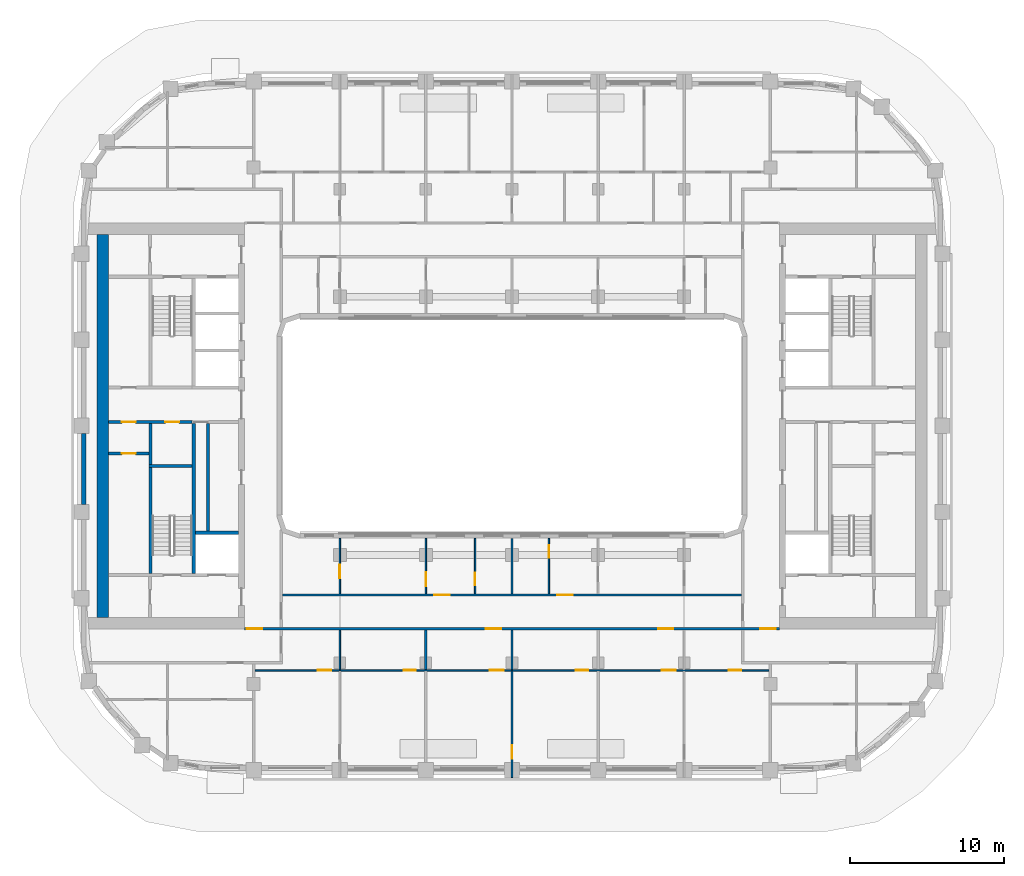
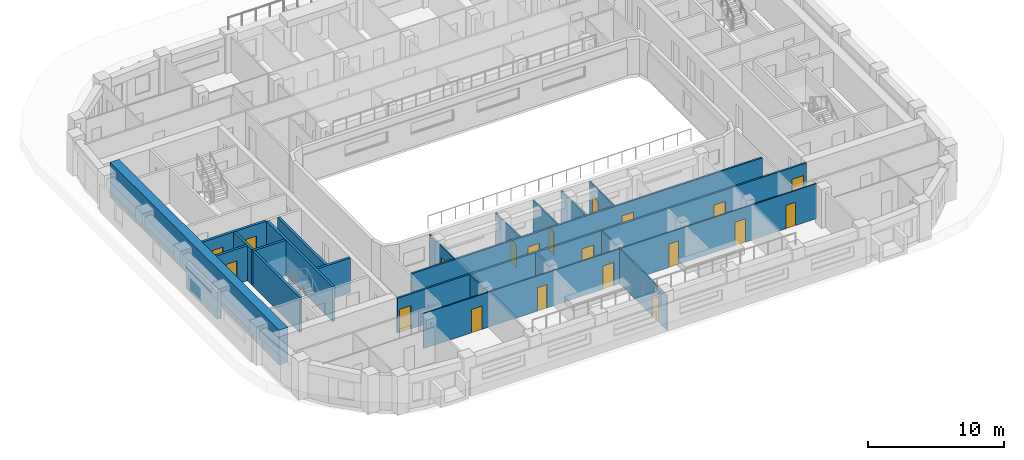
# One storey, part 3 of 17: 22 walls, 20 doors, 20 openings.
"""IFC4 building model written with IfcOpenShell, lengths in metres."""

from ifc_helpers import new_model, si_unit, direction, frame, frame_2d, origin, place, context, subcontext, project, spatial, rectangle, extrude, material, layer, layer_set, type_object, element, fill, save


model = new_model("IFC4")

# Units and contexts
model_context = context("Model", 3, precision=1e-05, world=origin(), true_north=direction((0.0, 1.0)))
body_context = subcontext(model_context, "Body", "Model", "MODEL_VIEW")
ifc_project = project(units=[si_unit("LENGTHUNIT", "METRE"), si_unit("AREAUNIT", "SQUARE_METRE"), si_unit("VOLUMEUNIT", "CUBIC_METRE"), si_unit("PLANEANGLEUNIT", "RADIAN"), si_unit("MASSUNIT", "GRAM", prefix="KILO")], contexts=[model_context])

# Site, building, storey
site_placement = place(None, origin())
site = spatial("IfcSite", under=ifc_project, at=site_placement, CompositionType="ELEMENT")
building_placement = place(site_placement, origin())
building = spatial("IfcBuilding", under=site, at=building_placement, Name="Kiln Ring Residences", CompositionType="ELEMENT")
storey_placement = place(building_placement, frame((0.0, 0.0, 174.60009765625)))
storey = spatial("IfcBuildingStorey", under=building, at=storey_placement, Name="L45", CompositionType="ELEMENT", Elevation=174.60009765625)

# Wall
ifc_material_1 = material(Name="Gypsum board on steel studs", Category="steel")
ifc_layer_1 = layer(ifc_material_1, 0.199951171875)
ifc_layer_set_1 = layer_set([ifc_layer_1], Name="CORE-PARTITION-200")
wall_type_1 = type_object("IfcWallType", Name="CORE-PARTITION-200", PredefinedType="PARTITIONING", material=ifc_layer_set_1)
wall_1_placement = place(storey_placement, frame((-23.5, -2.5, 0.0), z_axis=(0.0, 0.0, 1.0), x_axis=(0.0, 1.0, 0.0)))
element("IfcWall", 1, at=wall_1_placement, inside=storey, type_object=wall_type_1, Name="Core partition west L45 1", PredefinedType="PARTITIONING", context=body_context, shape_type="SweptSolid", body=[
    extrude(rectangle(XDim=2.64990234375, YDim=0.199951171875, at=frame_2d((1.324951171875, 0.0))), origin(), (0.0, 0.0, 1.0), 3.14990234375),
])

# Wall, openings, doors
wall_2_placement = place(storey_placement, frame((-20.800048828125, 0.25, 0.0), z_axis=(0.0, 0.0, 1.0), x_axis=(-1.0, 0.0, 0.0)))
wall_2 = element("IfcWall", 2, at=wall_2_placement, inside=storey, type_object=wall_type_1, Name="Core partition west L45 2", PredefinedType="PARTITIONING", context=body_context, shape_type="SweptSolid", body=[
    extrude(rectangle(XDim=5.449951171875, YDim=0.199951171875, at=frame_2d((2.72509765625, 0.0))), origin(), (0.0, 0.0, 1.0), 3.14990234375),
])
opening_1_placement = place(wall_2_placement, frame((0.85009765625, 0.0, 0.0)))
opening_1 = element("IfcOpeningElement", 3, at=opening_1_placement, cuts=wall_2, Name="Opening L45-CW14", PredefinedType="OPENING", context=body_context, shape_type="SweptSolid", body=[
    extrude(rectangle(XDim=0.89990234375, YDim=2.10009765625, at=frame_2d((0.449951171875, 1.050048828125))), frame((0.0, 0.10986328125, 0.0), z_axis=(0.0, -1.0, 0.0), x_axis=(1.0, 0.0, 0.0)), (0.0, 0.0, 1.0), 0.219970703125),
])
opening_2_placement = place(wall_2_placement, frame((3.675048828125, 0.0, 0.0)))
opening_2 = element("IfcOpeningElement", 4, at=opening_2_placement, cuts=wall_2, Name="Opening L45-CW16", PredefinedType="OPENING", context=body_context, shape_type="SweptSolid", body=[
    extrude(rectangle(XDim=0.89990234375, YDim=2.10009765625, at=frame_2d((0.449951171875, 1.050048828125))), frame((0.0, 0.10986328125, 0.0), z_axis=(0.0, -1.0, 0.0), x_axis=(1.0, 0.0, 0.0)), (0.0, 0.0, 1.0), 0.219970703125),
])
ifc_material_2 = material(Name="Steel door leaf", Category="steel")
door_type_1 = type_object("IfcDoorType", Name="CORE-DOOR-ROOM", OperationType="SINGLE_SWING_LEFT", PredefinedType="DOOR", material=ifc_material_2)
door_1_placement = place(opening_1_placement, origin())
door_1 = element("IfcDoor", 5, at=door_1_placement, inside=storey, type_object=door_type_1, Name="Linen store L45-CW14", OperationType="SINGLE_SWING_RIGHT", OverallHeight=2.10009765625, OverallWidth=0.89990234375, PredefinedType="DOOR", context=body_context, shape_type="SweptSolid", body=[
    extrude(rectangle(XDim=0.89990234375, YDim=2.10009765625, at=frame_2d((0.449951171875, 1.050048828125))), frame((0.0, 0.02490234375, 0.0), z_axis=(0.0, -1.0, 0.0), x_axis=(1.0, 0.0, 0.0)), (0.0, 0.0, 1.0), 0.050048828125),
])
fill(opening_1, door_1)
door_2_placement = place(opening_2_placement, origin())
door_2 = element("IfcDoor", 6, at=door_2_placement, inside=storey, type_object=door_type_1, Name="Pump and valve room L45-CW16", OperationType="SINGLE_SWING_RIGHT", OverallHeight=2.10009765625, OverallWidth=0.89990234375, PredefinedType="DOOR", context=body_context, shape_type="SweptSolid", body=[
    extrude(rectangle(XDim=0.89990234375, YDim=2.10009765625, at=frame_2d((0.449951171875, 1.050048828125))), frame((0.0, 0.02490234375, 0.0), z_axis=(0.0, -1.0, 0.0), x_axis=(1.0, 0.0, 0.0)), (0.0, 0.0, 1.0), 0.050048828125),
])
fill(opening_2, door_2)

# Wall
wall_3_placement = place(storey_placement, frame((-19.760009765625, -6.85009765625, 0.0), z_axis=(0.0, 0.0, 1.0), x_axis=(0.0, 1.0, 0.0)))
element("IfcWall", 7, at=wall_3_placement, inside=storey, type_object=wall_type_1, Name="Core partition west L45 3", PredefinedType="PARTITIONING", context=body_context, shape_type="SweptSolid", body=[
    extrude(rectangle(XDim=7.0, YDim=0.199951171875, at=frame_2d((3.5, 0.0))), origin(), (0.0, 0.0, 1.0), 3.14990234375),
])

# Wall, opening, door
wall_4_placement = place(storey_placement, frame((-23.60009765625, -1.800048828125, 0.0), z_axis=(0.0, 0.0, 1.0), x_axis=(-1.0, 0.0, 0.0)))
wall_4 = element("IfcWall", 8, at=wall_4_placement, inside=storey, type_object=wall_type_1, Name="Core partition west L45 6", PredefinedType="PARTITIONING", context=body_context, shape_type="SweptSolid", body=[
    extrude(rectangle(XDim=2.64990234375, YDim=0.199951171875, at=frame_2d((1.324951171875, 0.0))), origin(), (0.0, 0.0, 1.0), 3.14990234375),
])
opening_3_placement = place(wall_4_placement, frame((0.875, 0.0, 0.0)))
opening_3 = element("IfcOpeningElement", 9, at=opening_3_placement, cuts=wall_4, Name="Opening L45-CW15", PredefinedType="OPENING", context=body_context, shape_type="SweptSolid", body=[
    extrude(rectangle(XDim=0.89990234375, YDim=2.10009765625, at=frame_2d((0.449951171875, 1.050048828125))), frame((0.0, 0.10986328125, 0.0), z_axis=(0.0, -1.0, 0.0), x_axis=(1.0, 0.0, 0.0)), (0.0, 0.0, 1.0), 0.219970703125),
])
door_3_placement = place(opening_3_placement, origin())
door_3 = element("IfcDoor", 10, at=door_3_placement, inside=storey, type_object=door_type_1, Name="Pump and valve room L45-CW15", OperationType="SINGLE_SWING_RIGHT", OverallHeight=2.10009765625, OverallWidth=0.89990234375, PredefinedType="DOOR", context=body_context, shape_type="SweptSolid", body=[
    extrude(rectangle(XDim=0.89990234375, YDim=2.10009765625, at=frame_2d((0.449951171875, 1.050048828125))), frame((0.0, 0.02490234375, 0.0), z_axis=(0.0, -1.0, 0.0), x_axis=(1.0, 0.0, 0.0)), (0.0, 0.0, 1.0), 0.050048828125),
])
fill(opening_3, door_3)

# Walls
ifc_material_3 = material(Name="Gypsum shaft wall system")
ifc_layer_2 = layer(ifc_material_3, 0.199951171875)
ifc_layer_set_2 = layer_set([ifc_layer_2], Name="CORE-SHAFT-WALL-200")
wall_type_2 = type_object("IfcWallType", Name="CORE-SHAFT-WALL-200", PredefinedType="PARTITIONING", material=ifc_layer_set_2)
wall_5_placement = place(storey_placement, frame((-17.800048828125, -6.949951171875, 0.0), z_axis=(0.0, 0.0, 1.0), x_axis=(-1.0, 0.0, 0.0)))
element("IfcWall", 11, at=wall_5_placement, inside=storey, type_object=wall_type_2, Name="Core partition west L45 7", PredefinedType="PARTITIONING", context=body_context, shape_type="SweptSolid", body=[
    extrude(rectangle(XDim=2.800048828125, YDim=0.199951171875, at=frame_2d((1.39990234375, 0.0))), origin(), (0.0, 0.0, 1.0), 3.14990234375),
])
ifc_material_4 = material(Name="Concrete C40/50", Category="concrete")
ifc_layer_3 = layer(ifc_material_4, 0.199951171875)
ifc_layer_set_3 = layer_set([ifc_layer_3], Name="CORE-WALL-RC200")
wall_type_3 = type_object("IfcWallType", Name="CORE-WALL-RC200", PredefinedType="SHEAR", material=ifc_layer_set_3)
wall_6_placement = place(storey_placement, frame((-20.699951171875, -9.60009765625, 0.0), z_axis=(0.0, 0.0, 1.0), x_axis=(0.0, 1.0, 0.0)))
element("IfcWall", 12, at=wall_6_placement, inside=storey, type_object=wall_type_3, Name="Core wall west L45 2", PredefinedType="SHEAR", context=body_context, shape_type="SweptSolid", body=[
    extrude(rectangle(XDim=9.75, YDim=0.199951171875, at=frame_2d((4.875, 0.0))), origin(), (0.0, 0.0, 1.0), 3.14990234375),
])
wall_7_placement = place(storey_placement, frame((-23.5, -9.60009765625, 0.0), z_axis=(0.0, 0.0, 1.0), x_axis=(0.0, 1.0, 0.0)))
element("IfcWall", 13, at=wall_7_placement, inside=storey, type_object=wall_type_3, Name="Core wall west L45 11", PredefinedType="SHEAR", context=body_context, shape_type="SweptSolid", body=[
    extrude(rectangle(XDim=6.900146484375, YDim=0.199951171875, at=frame_2d((3.4501953125, 0.0))), origin(), (0.0, 0.0, 1.0), 3.14990234375),
])
wall_8_placement = place(storey_placement, frame((-20.800048828125, -2.60009765625, 0.0), z_axis=(0.0, 0.0, 1.0), x_axis=(-1.0, 0.0, 0.0)))
element("IfcWall", 14, at=wall_8_placement, inside=storey, type_object=wall_type_3, Name="Core wall west L45 12", PredefinedType="SHEAR", context=body_context, shape_type="SweptSolid", body=[
    extrude(rectangle(XDim=2.800048828125, YDim=0.199951171875, at=frame_2d((1.39990234375, 0.0))), origin(), (0.0, 0.0, 1.0), 3.14990234375),
])
ifc_material_5 = material(Name="Concrete C60/75", Category="concrete")
ifc_layer_4 = layer(ifc_material_5, 0.75)
ifc_layer_set_4 = layer_set([ifc_layer_4], Name="CORE-WALL-RC750")
wall_type_4 = type_object("IfcWallType", Name="CORE-WALL-RC750", PredefinedType="SHEAR", material=ifc_layer_set_4)
wall_9_placement = place(storey_placement, frame((-26.625, -12.449951171875, 0.0), z_axis=(0.0, 0.0, 1.0), x_axis=(0.0, 1.0, 0.0)))
element("IfcWall", 15, at=wall_9_placement, inside=storey, type_object=wall_type_4, Name="Core wall west L45 7", PredefinedType="SHEAR", context=body_context, shape_type="SweptSolid", body=[
    extrude(rectangle(XDim=24.89990234375, YDim=0.75, at=frame_2d((12.449951171875, 0.0))), origin(), (0.0, 0.0, 1.0), 3.14990234375),
])
ifc_material_6 = material(Name="Brick masonry, dark clay brick", Category="masonry")
ifc_layer_5 = layer(ifc_material_6, 0.300048828125)
ifc_layer_set_5 = layer_set([ifc_layer_5], Name="EW-300 BRICK WALL")
wall_type_5 = type_object("IfcWallType", Name="EW-300 BRICK WALL", PredefinedType="SOLIDWALL", material=ifc_layer_set_5)
wall_10_placement = place(storey_placement, frame((-27.85009765625, -0.5, 0.0), z_axis=(0.0, 0.0, 1.0), x_axis=(0.0, -1.0, 0.0)))
element("IfcWall", 16, at=wall_10_placement, inside=storey, type_object=wall_type_5, Name="Facade wall L45 44", PredefinedType="SOLIDWALL", context=body_context, shape_type="SweptSolid", body=[
    extrude(rectangle(XDim=4.60009765625, YDim=0.300048828125, at=frame_2d((2.300048828125, 0.0))), origin(), (0.0, 0.0, 1.0), 2.39990234375),
])

# Wall, openings, doors
ifc_material_7 = material(Name="Gypsum board on steel studs", Category="steel")
ifc_layer_6 = layer(ifc_material_7, 0.10009765625)
ifc_layer_set_6 = layer_set([ifc_layer_6], Name="PARTITION-100")
wall_type_6 = type_object("IfcWallType", Name="PARTITION-100", PredefinedType="PARTITIONING", material=ifc_layer_set_6)
wall_11_placement = place(storey_placement, frame((-16.72509765625, -15.89990234375, 0.0), z_axis=(0.0, 0.0, 1.0), x_axis=(1.0, 0.0, 0.0)))
wall_11 = element("IfcWall", 17, at=wall_11_placement, inside=storey, type_object=wall_type_6, Name="Partition 002", PredefinedType="PARTITIONING", context=body_context, shape_type="SweptSolid", body=[
    extrude(rectangle(XDim=33.4501953125, YDim=0.10009765625, at=frame_2d((16.72509765625, 0.0))), origin(), (0.0, 0.0, 1.0), 3.14990234375),
])
opening_4_placement = place(wall_11_placement, frame((9.675048828125, 0.0, 0.0)))
opening_4 = element("IfcOpeningElement", 18, at=opening_4_placement, cuts=wall_11, Name="Opening L45-D053", PredefinedType="OPENING", context=body_context, shape_type="SweptSolid", body=[
    extrude(rectangle(XDim=0.800048828125, YDim=2.10009765625, at=frame_2d((0.39990234375, 1.050048828125))), frame((0.0, 0.06005859375, 0.0), z_axis=(0.0, -1.0, 0.0), x_axis=(1.0, 0.0, 0.0)), (0.0, 0.0, 1.0), 0.1201171875),
])
opening_5_placement = place(wall_11_placement, frame((4.074951171875, 0.0, 0.0)))
opening_5 = element("IfcOpeningElement", 19, at=opening_5_placement, cuts=wall_11, Name="Opening L45-D054", PredefinedType="OPENING", context=body_context, shape_type="SweptSolid", body=[
    extrude(rectangle(XDim=0.89990234375, YDim=2.10009765625, at=frame_2d((0.449951171875, 1.050048828125))), frame((0.0, 0.06005859375, 0.0), z_axis=(0.0, -1.0, 0.0), x_axis=(1.0, 0.0, 0.0)), (0.0, 0.0, 1.0), 0.1201171875),
])
opening_6_placement = place(wall_11_placement, frame((20.875, 0.0, 0.0)))
opening_6 = element("IfcOpeningElement", 20, at=opening_6_placement, cuts=wall_11, Name="Opening L45-D057", PredefinedType="OPENING", context=body_context, shape_type="SweptSolid", body=[
    extrude(rectangle(XDim=0.800048828125, YDim=2.10009765625, at=frame_2d((0.39990234375, 1.050048828125))), frame((0.0, 0.06005859375, 0.0), z_axis=(0.0, -1.0, 0.0), x_axis=(1.0, 0.0, 0.0)), (0.0, 0.0, 1.0), 0.1201171875),
])
opening_7_placement = place(wall_11_placement, frame((15.27490234375, 0.0, 0.0)))
opening_7 = element("IfcOpeningElement", 21, at=opening_7_placement, cuts=wall_11, Name="Opening L45-D058", PredefinedType="OPENING", context=body_context, shape_type="SweptSolid", body=[
    extrude(rectangle(XDim=0.89990234375, YDim=2.10009765625, at=frame_2d((0.449951171875, 1.050048828125))), frame((0.0, 0.06005859375, 0.0), z_axis=(0.0, -1.0, 0.0), x_axis=(1.0, 0.0, 0.0)), (0.0, 0.0, 1.0), 0.1201171875),
])
opening_8_placement = place(wall_11_placement, frame((30.824951171875, 0.0, 0.0)))
opening_8 = element("IfcOpeningElement", 22, at=opening_8_placement, cuts=wall_11, Name="Opening L45-D061", PredefinedType="OPENING", context=body_context, shape_type="SweptSolid", body=[
    extrude(rectangle(XDim=0.800048828125, YDim=2.10009765625, at=frame_2d((0.39990234375, 1.050048828125))), frame((0.0, 0.06005859375, 0.0), z_axis=(0.0, -1.0, 0.0), x_axis=(1.0, 0.0, 0.0)), (0.0, 0.0, 1.0), 0.1201171875),
])
opening_9_placement = place(wall_11_placement, frame((26.47509765625, 0.0, 0.0)))
opening_9 = element("IfcOpeningElement", 23, at=opening_9_placement, cuts=wall_11, Name="Opening L45-D062", PredefinedType="OPENING", context=body_context, shape_type="SweptSolid", body=[
    extrude(rectangle(XDim=0.89990234375, YDim=2.10009765625, at=frame_2d((0.449951171875, 1.050048828125))), frame((0.0, 0.06005859375, 0.0), z_axis=(0.0, -1.0, 0.0), x_axis=(1.0, 0.0, 0.0)), (0.0, 0.0, 1.0), 0.1201171875),
])
ifc_material_8 = material(Name="Timber door leaf", Category="wood")
door_type_2 = type_object("IfcDoorType", Name="FLAT-DOOR-800-PL", OperationType="SINGLE_SWING_LEFT", PredefinedType="DOOR", material=ifc_material_8)
door_4_placement = place(opening_4_placement, origin())
door_4 = element("IfcDoor", 24, at=door_4_placement, inside=storey, type_object=door_type_2, Name="Door L45-D053", OperationType="SINGLE_SWING_LEFT", OverallHeight=2.10009765625, OverallWidth=0.800048828125, PredefinedType="DOOR", context=body_context, shape_type="SweptSolid", body=[
    extrude(rectangle(XDim=0.800048828125, YDim=2.10009765625, at=frame_2d((0.39990234375, 1.050048828125))), frame((0.0, 0.02490234375, 0.0), z_axis=(0.0, -1.0, 0.0), x_axis=(1.0, 0.0, 0.0)), (0.0, 0.0, 1.0), 0.050048828125),
])
fill(opening_4, door_4)
door_5_placement = place(opening_6_placement, origin())
door_5 = element("IfcDoor", 25, at=door_5_placement, inside=storey, type_object=door_type_2, Name="Door L45-D057", OperationType="SINGLE_SWING_LEFT", OverallHeight=2.10009765625, OverallWidth=0.800048828125, PredefinedType="DOOR", context=body_context, shape_type="SweptSolid", body=[
    extrude(rectangle(XDim=0.800048828125, YDim=2.10009765625, at=frame_2d((0.39990234375, 1.050048828125))), frame((0.0, 0.02490234375, 0.0), z_axis=(0.0, -1.0, 0.0), x_axis=(1.0, 0.0, 0.0)), (0.0, 0.0, 1.0), 0.050048828125),
])
fill(opening_6, door_5)
door_6_placement = place(opening_8_placement, origin())
door_6 = element("IfcDoor", 26, at=door_6_placement, inside=storey, type_object=door_type_2, Name="Door L45-D061", OperationType="SINGLE_SWING_LEFT", OverallHeight=2.10009765625, OverallWidth=0.800048828125, PredefinedType="DOOR", context=body_context, shape_type="SweptSolid", body=[
    extrude(rectangle(XDim=0.800048828125, YDim=2.10009765625, at=frame_2d((0.39990234375, 1.050048828125))), frame((0.0, 0.02490234375, 0.0), z_axis=(0.0, -1.0, 0.0), x_axis=(1.0, 0.0, 0.0)), (0.0, 0.0, 1.0), 0.050048828125),
])
fill(opening_8, door_6)
ifc_material_9 = material(Name="Timber door leaf", Category="wood")
door_type_3 = type_object("IfcDoorType", Name="FLAT-DOOR-900-PL", OperationType="SINGLE_SWING_LEFT", PredefinedType="DOOR", material=ifc_material_9)
door_7_placement = place(opening_5_placement, origin())
door_7 = element("IfcDoor", 27, at=door_7_placement, inside=storey, type_object=door_type_3, Name="Door L45-D054", OperationType="SINGLE_SWING_RIGHT", OverallHeight=2.10009765625, OverallWidth=0.89990234375, PredefinedType="DOOR", context=body_context, shape_type="SweptSolid", body=[
    extrude(rectangle(XDim=0.89990234375, YDim=2.10009765625, at=frame_2d((0.449951171875, 1.050048828125))), frame((0.0, 0.02490234375, 0.0), z_axis=(0.0, -1.0, 0.0), x_axis=(1.0, 0.0, 0.0)), (0.0, 0.0, 1.0), 0.050048828125),
])
fill(opening_5, door_7)
door_8_placement = place(opening_7_placement, origin())
door_8 = element("IfcDoor", 28, at=door_8_placement, inside=storey, type_object=door_type_3, Name="Door L45-D058", OperationType="SINGLE_SWING_RIGHT", OverallHeight=2.10009765625, OverallWidth=0.89990234375, PredefinedType="DOOR", context=body_context, shape_type="SweptSolid", body=[
    extrude(rectangle(XDim=0.89990234375, YDim=2.10009765625, at=frame_2d((0.449951171875, 1.050048828125))), frame((0.0, 0.02490234375, 0.0), z_axis=(0.0, -1.0, 0.0), x_axis=(1.0, 0.0, 0.0)), (0.0, 0.0, 1.0), 0.050048828125),
])
fill(opening_7, door_8)
door_9_placement = place(opening_9_placement, origin())
door_9 = element("IfcDoor", 29, at=door_9_placement, inside=storey, type_object=door_type_3, Name="Door L45-D062", OperationType="SINGLE_SWING_RIGHT", OverallHeight=2.10009765625, OverallWidth=0.89990234375, PredefinedType="DOOR", context=body_context, shape_type="SweptSolid", body=[
    extrude(rectangle(XDim=0.89990234375, YDim=2.10009765625, at=frame_2d((0.449951171875, 1.050048828125))), frame((0.0, 0.02490234375, 0.0), z_axis=(0.0, -1.0, 0.0), x_axis=(1.0, 0.0, 0.0)), (0.0, 0.0, 1.0), 0.050048828125),
])
fill(opening_9, door_9)

# Wall
wall_12_placement = place(storey_placement, frame((-11.199951171875, -15.85009765625, 0.0), z_axis=(0.0, 0.0, 1.0), x_axis=(0.0, 1.0, 0.0)))
element("IfcWall", 30, at=wall_12_placement, inside=storey, type_object=wall_type_6, Name="Partition 027", PredefinedType="PARTITIONING", context=body_context, shape_type="SweptSolid", body=[
    extrude(rectangle(XDim=2.5751953125, YDim=0.10009765625, at=frame_2d((1.28759765625, 0.0))), origin(), (0.0, 0.0, 1.0), 3.14990234375),
])

# Wall, opening, door
wall_13_placement = place(storey_placement, frame((-11.199951171875, -10.925048828125, 0.0), z_axis=(0.0, 0.0, 1.0), x_axis=(0.0, 1.0, 0.0)))
wall_13 = element("IfcWall", 31, at=wall_13_placement, inside=storey, type_object=wall_type_6, Name="Partition 028", PredefinedType="PARTITIONING", context=body_context, shape_type="SweptSolid", body=[
    extrude(rectangle(XDim=3.60498046875, YDim=0.10009765625, at=frame_2d((1.802490234375, 0.0))), origin(), (0.0, 0.0, 1.0), 3.14990234375),
])
opening_10_placement = place(wall_13_placement, frame((1.0048828125, 0.0, 0.0)))
opening_10 = element("IfcOpeningElement", 32, at=opening_10_placement, cuts=wall_13, Name="Opening L45-D047", PredefinedType="OPENING", context=body_context, shape_type="SweptSolid", body=[
    extrude(rectangle(XDim=0.89990234375, YDim=2.10009765625, at=frame_2d((0.449951171875, 1.050048828125))), frame((0.0, 0.06005859375, 0.0), z_axis=(0.0, -1.0, 0.0), x_axis=(1.0, 0.0, 0.0)), (0.0, 0.0, 1.0), 0.1201171875),
])
door_10_placement = place(opening_10_placement, origin())
door_10 = element("IfcDoor", 33, at=door_10_placement, inside=storey, type_object=door_type_3, Name="Door L45-D047", OperationType="SINGLE_SWING_RIGHT", OverallHeight=2.10009765625, OverallWidth=0.89990234375, PredefinedType="DOOR", context=body_context, shape_type="SweptSolid", body=[
    extrude(rectangle(XDim=0.89990234375, YDim=2.10009765625, at=frame_2d((0.449951171875, 1.050048828125))), frame((0.0, 0.02490234375, 0.0), z_axis=(0.0, -1.0, 0.0), x_axis=(1.0, 0.0, 0.0)), (0.0, 0.0, 1.0), 0.050048828125),
])
fill(opening_10, door_10)

wall_14_placement = place(storey_placement, frame((-5.60009765625, -10.925048828125, 0.0), z_axis=(0.0, 0.0, 1.0), x_axis=(0.0, 1.0, 0.0)))
wall_14 = element("IfcWall", 34, at=wall_14_placement, inside=storey, type_object=wall_type_6, Name="Partition 033", PredefinedType="PARTITIONING", context=body_context, shape_type="SweptSolid", body=[
    extrude(rectangle(XDim=3.60498046875, YDim=0.10009765625, at=frame_2d((1.802490234375, 0.0))), origin(), (0.0, 0.0, 1.0), 3.14990234375),
])
opening_11_placement = place(wall_14_placement, frame((0.5048828125, 0.0, 0.0)))
opening_11 = element("IfcOpeningElement", 35, at=opening_11_placement, cuts=wall_14, Name="Opening L45-D046", PredefinedType="OPENING", context=body_context, shape_type="SweptSolid", body=[
    extrude(rectangle(XDim=0.89990234375, YDim=2.10009765625, at=frame_2d((0.449951171875, 1.050048828125))), frame((0.0, 0.06005859375, 0.0), z_axis=(0.0, -1.0, 0.0), x_axis=(1.0, 0.0, 0.0)), (0.0, 0.0, 1.0), 0.1201171875),
])
door_11_placement = place(opening_11_placement, origin())
door_11 = element("IfcDoor", 36, at=door_11_placement, inside=storey, type_object=door_type_3, Name="Door L45-D046", OperationType="SINGLE_SWING_RIGHT", OverallHeight=2.10009765625, OverallWidth=0.89990234375, PredefinedType="DOOR", context=body_context, shape_type="SweptSolid", body=[
    extrude(rectangle(XDim=0.89990234375, YDim=2.10009765625, at=frame_2d((0.449951171875, 1.050048828125))), frame((0.0, 0.02490234375, 0.0), z_axis=(0.0, -1.0, 0.0), x_axis=(1.0, 0.0, 0.0)), (0.0, 0.0, 1.0), 0.050048828125),
])
fill(opening_11, door_11)

wall_15_placement = place(storey_placement, frame((-2.39990234375, -10.925048828125, 0.0), z_axis=(0.0, 0.0, 1.0), x_axis=(0.0, 1.0, 0.0)))
wall_15 = element("IfcWall", 37, at=wall_15_placement, inside=storey, type_object=wall_type_6, Name="Partition 040", PredefinedType="PARTITIONING", context=body_context, shape_type="SweptSolid", body=[
    extrude(rectangle(XDim=3.60498046875, YDim=0.10009765625, at=frame_2d((1.802490234375, 0.0))), origin(), (0.0, 0.0, 1.0), 3.14990234375),
])
opening_12_placement = place(wall_15_placement, frame((0.575927734375, 0.0, 0.0)))
opening_12 = element("IfcOpeningElement", 38, at=opening_12_placement, cuts=wall_15, Name="Opening L45-D045", PredefinedType="OPENING", context=body_context, shape_type="SweptSolid", body=[
    extrude(rectangle(XDim=0.800048828125, YDim=2.10009765625, at=frame_2d((0.39990234375, 1.050048828125))), frame((0.0, 0.06005859375, 0.0), z_axis=(0.0, -1.0, 0.0), x_axis=(1.0, 0.0, 0.0)), (0.0, 0.0, 1.0), 0.1201171875),
])
door_12_placement = place(opening_12_placement, origin())
door_12 = element("IfcDoor", 39, at=door_12_placement, inside=storey, type_object=door_type_2, Name="Door L45-D045", OperationType="SINGLE_SWING_LEFT", OverallHeight=2.10009765625, OverallWidth=0.800048828125, PredefinedType="DOOR", context=body_context, shape_type="SweptSolid", body=[
    extrude(rectangle(XDim=0.800048828125, YDim=2.10009765625, at=frame_2d((0.39990234375, 1.050048828125))), frame((0.0, 0.02490234375, 0.0), z_axis=(0.0, -1.0, 0.0), x_axis=(1.0, 0.0, 0.0)), (0.0, 0.0, 1.0), 0.050048828125),
])
fill(opening_12, door_12)

wall_16_placement = place(storey_placement, frame((0.0, -22.8798828125, 0.0), z_axis=(0.0, 0.0, 1.0), x_axis=(0.0, 1.0, 0.0)))
wall_16 = element("IfcWall", 40, at=wall_16_placement, inside=storey, type_object=wall_type_6, Name="Partition 041", PredefinedType="PARTITIONING", context=body_context, shape_type="SweptSolid", body=[
    extrude(rectangle(XDim=6.929931640625, YDim=0.10009765625, at=frame_2d((3.46484375, 0.0))), origin(), (0.0, 0.0, 1.0), 3.14990234375),
])
opening_13_placement = place(wall_16_placement, frame((1.219970703125, 0.0, 0.0)))
opening_13 = element("IfcOpeningElement", 41, at=opening_13_placement, cuts=wall_16, Name="Opening L45-D059", PredefinedType="OPENING", context=body_context, shape_type="SweptSolid", body=[
    extrude(rectangle(XDim=0.89990234375, YDim=2.10009765625, at=frame_2d((0.449951171875, 1.050048828125))), frame((0.0, 0.06005859375, 0.0), z_axis=(0.0, -1.0, 0.0), x_axis=(1.0, 0.0, 0.0)), (0.0, 0.0, 1.0), 0.1201171875),
])
door_13_placement = place(opening_13_placement, origin())
door_13 = element("IfcDoor", 42, at=door_13_placement, inside=storey, type_object=door_type_3, Name="Door L45-D059", OperationType="SINGLE_SWING_LEFT", OverallHeight=2.10009765625, OverallWidth=0.89990234375, PredefinedType="DOOR", context=body_context, shape_type="SweptSolid", body=[
    extrude(rectangle(XDim=0.89990234375, YDim=2.10009765625, at=frame_2d((0.449951171875, 1.050048828125))), frame((0.0, 0.02490234375, 0.0), z_axis=(0.0, -1.0, 0.0), x_axis=(1.0, 0.0, 0.0)), (0.0, 0.0, 1.0), 0.050048828125),
])
fill(opening_13, door_13)

# Wall
wall_17_placement = place(storey_placement, frame((0.0, -15.85009765625, 0.0), z_axis=(0.0, 0.0, 1.0), x_axis=(0.0, 1.0, 0.0)))
element("IfcWall", 43, at=wall_17_placement, inside=storey, type_object=wall_type_6, Name="Partition 042", PredefinedType="PARTITIONING", context=body_context, shape_type="SweptSolid", body=[
    extrude(rectangle(XDim=2.5751953125, YDim=0.10009765625, at=frame_2d((1.28759765625, 0.0))), origin(), (0.0, 0.0, 1.0), 3.14990234375),
])

# Wall, opening, door
wall_18_placement = place(storey_placement, frame((2.39990234375, -10.925048828125, 0.0), z_axis=(0.0, 0.0, 1.0), x_axis=(0.0, 1.0, 0.0)))
wall_18 = element("IfcWall", 44, at=wall_18_placement, inside=storey, type_object=wall_type_6, Name="Partition 047", PredefinedType="PARTITIONING", context=body_context, shape_type="SweptSolid", body=[
    extrude(rectangle(XDim=3.60498046875, YDim=0.10009765625, at=frame_2d((1.802490234375, 0.0))), origin(), (0.0, 0.0, 1.0), 3.14990234375),
])
opening_14_placement = place(wall_18_placement, frame((2.35498046875, 0.0, 0.0)))
opening_14 = element("IfcOpeningElement", 45, at=opening_14_placement, cuts=wall_18, Name="Opening L45-D049", PredefinedType="OPENING", context=body_context, shape_type="SweptSolid", body=[
    extrude(rectangle(XDim=0.800048828125, YDim=2.10009765625, at=frame_2d((0.39990234375, 1.050048828125))), frame((0.0, 0.06005859375, 0.0), z_axis=(0.0, -1.0, 0.0), x_axis=(1.0, 0.0, 0.0)), (0.0, 0.0, 1.0), 0.1201171875),
])
door_14_placement = place(opening_14_placement, origin())
door_14 = element("IfcDoor", 46, at=door_14_placement, inside=storey, type_object=door_type_2, Name="Door L45-D049", OperationType="SINGLE_SWING_LEFT", OverallHeight=2.10009765625, OverallWidth=0.800048828125, PredefinedType="DOOR", context=body_context, shape_type="SweptSolid", body=[
    extrude(rectangle(XDim=0.800048828125, YDim=2.10009765625, at=frame_2d((0.39990234375, 1.050048828125))), frame((0.0, 0.02490234375, 0.0), z_axis=(0.0, -1.0, 0.0), x_axis=(1.0, 0.0, 0.0)), (0.0, 0.0, 1.0), 0.050048828125),
])
fill(opening_14, door_14)

# Wall, openings, doors
ifc_material_10 = material(Name="Brick masonry partition", Category="masonry")
ifc_layer_7 = layer(ifc_material_10, 0.14990234375)
ifc_layer_set_7 = layer_set([ifc_layer_7], Name="PARTITION-150-ei60")
wall_type_7 = type_object("IfcWallType", Name="PARTITION-150-ei60", PredefinedType="PARTITIONING", material=ifc_layer_set_7)
wall_19_placement = place(storey_placement, frame((-17.39990234375, -13.199951171875, 0.0), z_axis=(0.0, 0.0, 1.0), x_axis=(1.0, 0.0, 0.0)))
wall_19 = element("IfcWall", 47, at=wall_19_placement, inside=storey, type_object=wall_type_7, Name="Partition 005", PredefinedType="PARTITIONING", context=body_context, shape_type="SweptSolid", body=[
    extrude(rectangle(XDim=34.7998046875, YDim=0.14990234375, at=frame_2d((17.39990234375, 0.0))), origin(), (0.0, 0.0, 1.0), 3.14990234375),
])
opening_15_placement = place(wall_19_placement, frame((0.14990234375, 0.0, 0.0)))
opening_15 = element("IfcOpeningElement", 48, at=opening_15_placement, cuts=wall_19, Name="Opening L45-D007", PredefinedType="OPENING", context=body_context, shape_type="SweptSolid", body=[
    extrude(rectangle(XDim=1.0, YDim=2.10009765625, at=frame_2d((0.5, 1.050048828125))), frame((0.0, 0.0849609375, 0.0), z_axis=(0.0, -1.0, 0.0), x_axis=(1.0, 0.0, 0.0)), (0.0, 0.0, 1.0), 0.169921875),
])
opening_16_placement = place(wall_19_placement, frame((33.550048828125, 0.0, 0.0)))
opening_16 = element("IfcOpeningElement", 49, at=opening_16_placement, cuts=wall_19, Name="Opening L45-D008", PredefinedType="OPENING", context=body_context, shape_type="SweptSolid", body=[
    extrude(rectangle(XDim=1.0, YDim=2.10009765625, at=frame_2d((0.5, 1.050048828125))), frame((0.0, 0.0849609375, 0.0), z_axis=(0.0, -1.0, 0.0), x_axis=(1.0, 0.0, 0.0)), (0.0, 0.0, 1.0), 0.169921875),
])
opening_17_placement = place(wall_19_placement, frame((15.699951171875, 0.0, 0.0)))
opening_17 = element("IfcOpeningElement", 50, at=opening_17_placement, cuts=wall_19, Name="Opening L45-D056", PredefinedType="OPENING", context=body_context, shape_type="SweptSolid", body=[
    extrude(rectangle(XDim=1.0, YDim=2.10009765625, at=frame_2d((0.5, 1.050048828125))), frame((0.0, 0.0849609375, 0.0), z_axis=(0.0, -1.0, 0.0), x_axis=(1.0, 0.0, 0.0)), (0.0, 0.0, 1.0), 0.169921875),
])
opening_18_placement = place(wall_19_placement, frame((26.89990234375, 0.0, 0.0)))
opening_18 = element("IfcOpeningElement", 51, at=opening_18_placement, cuts=wall_19, Name="Opening L45-D060", PredefinedType="OPENING", context=body_context, shape_type="SweptSolid", body=[
    extrude(rectangle(XDim=1.0, YDim=2.10009765625, at=frame_2d((0.5, 1.050048828125))), frame((0.0, 0.0849609375, 0.0), z_axis=(0.0, -1.0, 0.0), x_axis=(1.0, 0.0, 0.0)), (0.0, 0.0, 1.0), 0.169921875),
])
ifc_material_11 = material(Name="Steel faced fire door leaf", Category="steel")
door_type_4 = type_object("IfcDoorType", Name="FLAT-DOOR-1000-FR", OperationType="SINGLE_SWING_LEFT", PredefinedType="DOOR", material=ifc_material_11)
door_15_placement = place(opening_15_placement, origin())
door_15 = element("IfcDoor", 52, at=door_15_placement, inside=storey, type_object=door_type_4, Name="Door L45-D007", OperationType="SINGLE_SWING_RIGHT", OverallHeight=2.10009765625, OverallWidth=1.0, PredefinedType="DOOR", context=body_context, shape_type="SweptSolid", body=[
    extrude(rectangle(XDim=1.0, YDim=2.10009765625, at=frame_2d((0.5, 1.050048828125))), frame((0.0, 0.02490234375, 0.0), z_axis=(0.0, -1.0, 0.0), x_axis=(1.0, 0.0, 0.0)), (0.0, 0.0, 1.0), 0.050048828125),
])
fill(opening_15, door_15)
door_16_placement = place(opening_16_placement, origin())
door_16 = element("IfcDoor", 53, at=door_16_placement, inside=storey, type_object=door_type_4, Name="Door L45-D008", OperationType="SINGLE_SWING_LEFT", OverallHeight=2.10009765625, OverallWidth=1.0, PredefinedType="DOOR", context=body_context, shape_type="SweptSolid", body=[
    extrude(rectangle(XDim=1.0, YDim=2.10009765625, at=frame_2d((0.5, 1.050048828125))), frame((0.0, 0.02490234375, 0.0), z_axis=(0.0, -1.0, 0.0), x_axis=(1.0, 0.0, 0.0)), (0.0, 0.0, 1.0), 0.050048828125),
])
fill(opening_16, door_16)
door_17_placement = place(opening_17_placement, origin())
door_17 = element("IfcDoor", 54, at=door_17_placement, inside=storey, type_object=door_type_4, Name="Door L45-D056", OperationType="SINGLE_SWING_RIGHT", OverallHeight=2.10009765625, OverallWidth=1.0, PredefinedType="DOOR", context=body_context, shape_type="SweptSolid", body=[
    extrude(rectangle(XDim=1.0, YDim=2.10009765625, at=frame_2d((0.5, 1.050048828125))), frame((0.0, 0.02490234375, 0.0), z_axis=(0.0, -1.0, 0.0), x_axis=(1.0, 0.0, 0.0)), (0.0, 0.0, 1.0), 0.050048828125),
])
fill(opening_17, door_17)
door_18_placement = place(opening_18_placement, origin())
door_18 = element("IfcDoor", 55, at=door_18_placement, inside=storey, type_object=door_type_4, Name="Door L45-D060", OperationType="SINGLE_SWING_RIGHT", OverallHeight=2.10009765625, OverallWidth=1.0, PredefinedType="DOOR", context=body_context, shape_type="SweptSolid", body=[
    extrude(rectangle(XDim=1.0, YDim=2.10009765625, at=frame_2d((0.5, 1.050048828125))), frame((0.0, 0.02490234375, 0.0), z_axis=(0.0, -1.0, 0.0), x_axis=(1.0, 0.0, 0.0)), (0.0, 0.0, 1.0), 0.050048828125),
])
fill(opening_18, door_18)

wall_20_placement = place(storey_placement, frame((-14.925048828125, -11.0, 0.0), z_axis=(0.0, 0.0, 1.0), x_axis=(1.0, 0.0, 0.0)))
wall_20 = element("IfcWall", 56, at=wall_20_placement, inside=storey, type_object=wall_type_7, Name="Partition 006", PredefinedType="PARTITIONING", context=body_context, shape_type="SweptSolid", body=[
    extrude(rectangle(XDim=29.85009765625, YDim=0.14990234375, at=frame_2d((14.925048828125, 0.0))), origin(), (0.0, 0.0, 1.0), 3.14990234375),
])
opening_19_placement = place(wall_20_placement, frame((9.875, 0.0, 0.0)))
opening_19 = element("IfcOpeningElement", 57, at=opening_19_placement, cuts=wall_20, Name="Opening L45-D044", PredefinedType="OPENING", context=body_context, shape_type="SweptSolid", body=[
    extrude(rectangle(XDim=1.0, YDim=2.10009765625, at=frame_2d((0.5, 1.050048828125))), frame((0.0, 0.0849609375, 0.0), z_axis=(0.0, -1.0, 0.0), x_axis=(1.0, 0.0, 0.0)), (0.0, 0.0, 1.0), 0.169921875),
])
opening_20_placement = place(wall_20_placement, frame((17.875, 0.0, 0.0)))
opening_20 = element("IfcOpeningElement", 58, at=opening_20_placement, cuts=wall_20, Name="Opening L45-D048", PredefinedType="OPENING", context=body_context, shape_type="SweptSolid", body=[
    extrude(rectangle(XDim=1.0, YDim=2.10009765625, at=frame_2d((0.5, 1.050048828125))), frame((0.0, 0.0849609375, 0.0), z_axis=(0.0, -1.0, 0.0), x_axis=(1.0, 0.0, 0.0)), (0.0, 0.0, 1.0), 0.169921875),
])
door_19_placement = place(opening_19_placement, origin())
door_19 = element("IfcDoor", 59, at=door_19_placement, inside=storey, type_object=door_type_4, Name="Door L45-D044", OperationType="SINGLE_SWING_RIGHT", OverallHeight=2.10009765625, OverallWidth=1.0, PredefinedType="DOOR", context=body_context, shape_type="SweptSolid", body=[
    extrude(rectangle(XDim=1.0, YDim=2.10009765625, at=frame_2d((0.5, 1.050048828125))), frame((0.0, 0.02490234375, 0.0), z_axis=(0.0, -1.0, 0.0), x_axis=(1.0, 0.0, 0.0)), (0.0, 0.0, 1.0), 0.050048828125),
])
fill(opening_19, door_19)
door_20_placement = place(opening_20_placement, origin())
door_20 = element("IfcDoor", 60, at=door_20_placement, inside=storey, type_object=door_type_4, Name="Door L45-D048", OperationType="SINGLE_SWING_RIGHT", OverallHeight=2.10009765625, OverallWidth=1.0, PredefinedType="DOOR", context=body_context, shape_type="SweptSolid", body=[
    extrude(rectangle(XDim=1.0, YDim=2.10009765625, at=frame_2d((0.5, 1.050048828125))), frame((0.0, 0.02490234375, 0.0), z_axis=(0.0, -1.0, 0.0), x_axis=(1.0, 0.0, 0.0)), (0.0, 0.0, 1.0), 0.050048828125),
])
fill(opening_20, door_20)

# Walls
wall_21_placement = place(storey_placement, frame((-5.60009765625, -15.85009765625, 0.0), z_axis=(0.0, 0.0, 1.0), x_axis=(0.0, 1.0, 0.0)))
element("IfcWall", 61, at=wall_21_placement, inside=storey, type_object=wall_type_7, Name="Partition 036", PredefinedType="PARTITIONING", context=body_context, shape_type="SweptSolid", body=[
    extrude(rectangle(XDim=2.5751953125, YDim=0.14990234375, at=frame_2d((1.28759765625, 0.0))), origin(), (0.0, 0.0, 1.0), 3.14990234375),
])
wall_22_placement = place(storey_placement, frame((0.0, -10.925048828125, 0.0), z_axis=(0.0, 0.0, 1.0), x_axis=(0.0, 1.0, 0.0)))
element("IfcWall", 62, at=wall_22_placement, inside=storey, type_object=wall_type_7, Name="Partition 045", PredefinedType="PARTITIONING", context=body_context, shape_type="SweptSolid", body=[
    extrude(rectangle(XDim=3.60498046875, YDim=0.14990234375, at=frame_2d((1.802490234375, 0.0))), origin(), (0.0, 0.0, 1.0), 3.14990234375),
])

save(model, "model.ifc")
